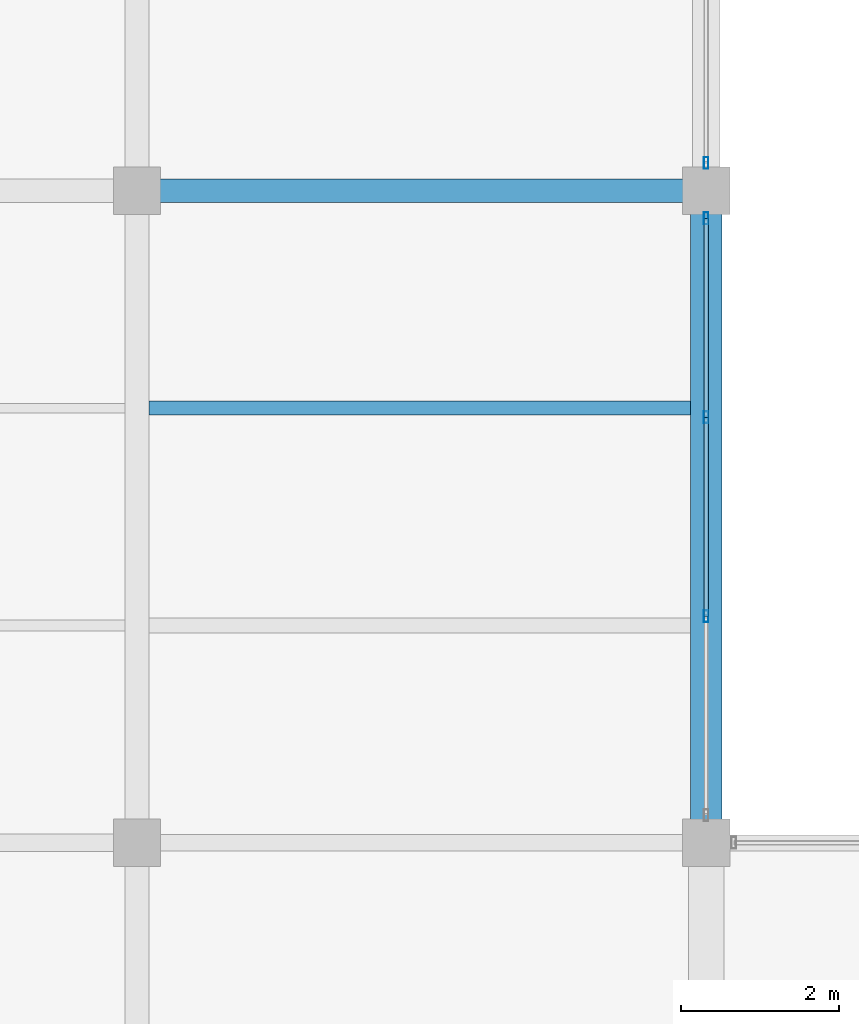
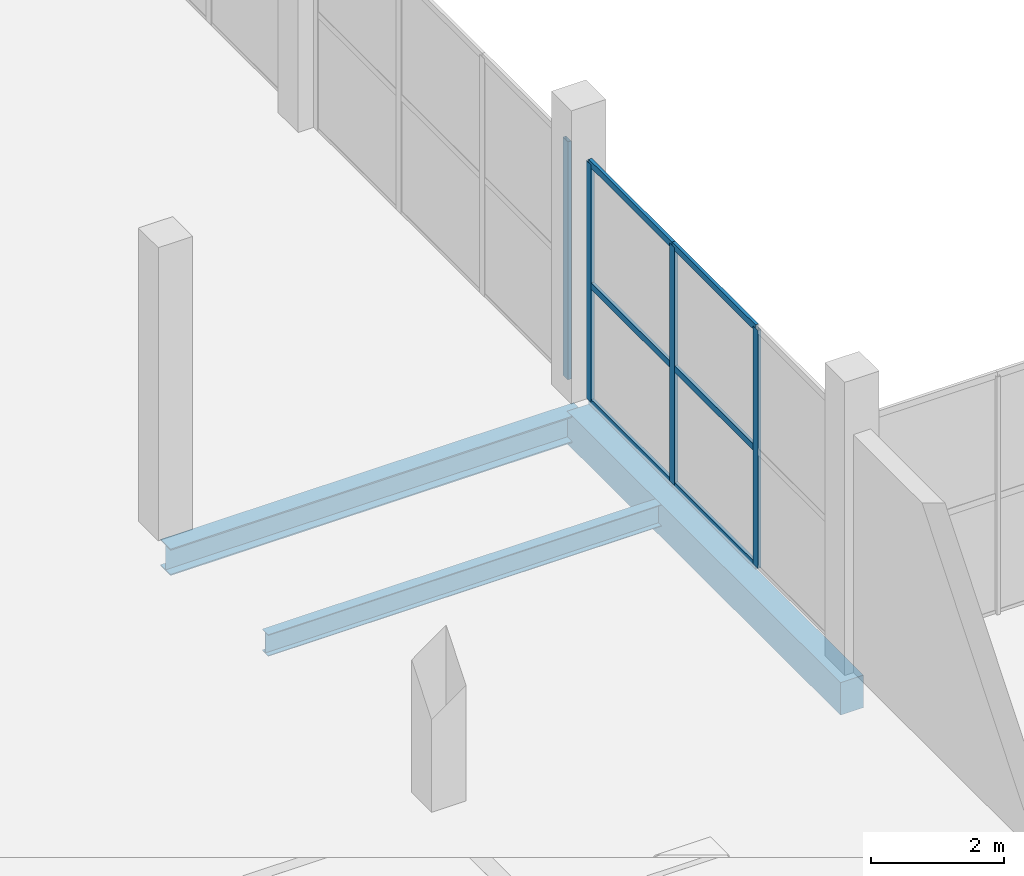
# One storey, part 52 of 141: 10 members, 3 beams, 2 elements without a shape of their own.
"""IFC4 building model written with IfcOpenShell, lengths in metres."""

from ifc_helpers import new_model, si_unit, direction, frame, origin, origin_2d, place, context, subcontext, project, spatial, rectangle, hollow_rectangle, i_section, extrude, material, layer, layer_set, material_profile, profile_set, type_object, element, aggregate, save


model = new_model("IFC4")

# Units and contexts
model_context = context("Model", 3, precision=1e-05, world=origin(), true_north=direction((0.0, 1.0)))
body_context = subcontext(model_context, "Body", "Model", "MODEL_VIEW")
ifc_project = project(units=[si_unit("LENGTHUNIT", "METRE"), si_unit("AREAUNIT", "SQUARE_METRE"), si_unit("VOLUMEUNIT", "CUBIC_METRE"), si_unit("PLANEANGLEUNIT", "RADIAN"), si_unit("MASSUNIT", "GRAM", prefix="KILO")], contexts=[model_context])

# Site, building, storey
site_placement = place(None, origin())
site = spatial("IfcSite", under=ifc_project, at=site_placement, CompositionType="ELEMENT")
building_placement = place(site_placement, origin())
building = spatial("IfcBuilding", under=site, at=building_placement, Name="Sundgate Opera House", CompositionType="ELEMENT")
storey_placement = place(building_placement, frame((0.0, 0.0, 11.39990234375)))
storey = spatial("IfcBuildingStorey", under=building, at=storey_placement, Name="L02", CompositionType="ELEMENT", Elevation=11.39990234375)

# Beams
ifc_material_1 = material(Name="Steel S355J2", Category="steel")
ifc_material_profile_1 = material_profile(ifc_material_1, i_section(OverallWidth=0.300048828125, OverallDepth=0.489990234375, WebThickness=0.011962890625, FlangeThickness=0.02294921875, at=origin_2d()), Name="HEA 500")
ifc_profile_set_1 = profile_set([ifc_material_profile_1], Name="Steel S355J2")
beam_type_1 = type_object("IfcBeamType", Name="BM-GR-HEA500", PredefinedType="BEAM", material=ifc_profile_set_1)
beam_1_placement = place(storey_placement, frame((117.0, 95.25, -0.594970703125), z_axis=(1.0, 0.0, 0.0), x_axis=(0.0, 1.0, 0.0)))
element("IfcBeam", 1, at=beam_1_placement, inside=storey, type_object=beam_type_1, Name="L02 Primary E-W Girder B2078", PredefinedType="BEAM", context=body_context, shape_type="SweptSolid", body=[
    extrude(i_section(OverallWidth=0.300048828125, OverallDepth=0.489990234375, WebThickness=0.011962890625, FlangeThickness=0.02294921875, at=origin_2d()), origin(), (0.0, 0.0, 1.0), 7.199951171875),
])
ifc_material_2 = material(Name="Steel S355J2", Category="steel")
ifc_material_profile_2 = material_profile(ifc_material_2, i_section(OverallWidth=0.179931640625, OverallDepth=0.39990234375, WebThickness=0.008544921875, FlangeThickness=0.013427734375, at=origin_2d()), Name="IPE 400")
ifc_profile_set_2 = profile_set([ifc_material_profile_2], Name="Steel S355J2")
beam_type_2 = type_object("IfcBeamType", Name="BM-JS-IPE400", PredefinedType="JOIST", material=ifc_profile_set_2)
beam_2_placement = place(storey_placement, frame((117.14990234375, 92.5, -0.5498046875), z_axis=(1.0, 0.0, 0.0), x_axis=(0.0, 1.0, 0.0)))
element("IfcBeam", 2, at=beam_2_placement, inside=storey, type_object=beam_type_2, Name="L02 Secondary Floor Joist B2354", PredefinedType="JOIST", context=body_context, shape_type="SweptSolid", body=[
    extrude(i_section(OverallWidth=0.179931640625, OverallDepth=0.39990234375, WebThickness=0.008544921875, FlangeThickness=0.013427734375, at=origin_2d()), origin(), (0.0, 0.0, 1.0), 6.85009765625),
])
ifc_material_3 = material(Name="Concrete C35/45", Category="concrete")
ifc_material_profile_3 = material_profile(ifc_material_3, rectangle(XDim=0.39990234375, YDim=0.60009765625, at=origin_2d()), Name="RC 400x600")
ifc_profile_set_3 = profile_set([ifc_material_profile_3], Name="Concrete C35/45")
beam_type_3 = type_object("IfcBeamType", Name="BM-RC-400x600", PredefinedType="BEAM", material=ifc_profile_set_3)
beam_3_placement = place(storey_placement, frame((124.199951171875, 87.0, -0.64990234375), z_axis=(0.0, 1.0, 0.0), x_axis=(-1.0, 0.0, 0.0)))
element("IfcBeam", 3, at=beam_3_placement, inside=storey, type_object=beam_type_3, Name="L02 Primary N-S Girder B1899", PredefinedType="BEAM", context=body_context, shape_type="SweptSolid", body=[
    extrude(rectangle(XDim=0.39990234375, YDim=0.60009765625, at=origin_2d()), origin(), (0.0, 0.0, 1.0), 8.25),
])

# Curtain wall, members
ifc_material_4 = material(Name="Anodized aluminium and low-iron glass", Category="aluminium")
ifc_layer = layer(ifc_material_4, 0.159912109375)
ifc_layer_set = layer_set([ifc_layer], Name="Anodized aluminium and low-iron glass")
curtain_wall_type = type_object("IfcCurtainWallType", Name="CW-STUDIO-DARK", PredefinedType="NOTDEFINED", material=ifc_layer_set)
curtain_wall_1_placement = place(storey_placement, origin())
curtain_wall_1 = element("IfcCurtainWall", 4, at=curtain_wall_1_placement, inside=storey, type_object=curtain_wall_type, Name="L02 Curtain Wall CW116", PredefinedType="NOTDEFINED")
ifc_material_5 = material(Name="Anodized aluminium EN AW-6063", Category="aluminium")
ifc_material_profile_4 = material_profile(ifc_material_5, hollow_rectangle(XDim=0.06005859375, YDim=0.14990234375, WallThickness=0.00390625, at=origin_2d()), Name="CWM 150x60x4")
ifc_profile_set_4 = profile_set([ifc_material_profile_4], Name="Anodized aluminium EN AW-6063")
member_type_1 = type_object("IfcMemberType", Name="CWM-ALU-150x60", PredefinedType="MULLION", material=ifc_profile_set_4)
member_1_placement = place(storey_placement, frame((124.199951171875, 89.86669921875, 0.0), z_axis=(0.0, 0.0, 1.0), x_axis=(1.0, 0.0, 0.0)))
member_1 = element("IfcMember", 5, at=member_1_placement, type_object=member_type_1, Name="CW116 Mullion 2", PredefinedType="MULLION", context=body_context, shape_type="SweptSolid", body=[
    extrude(hollow_rectangle(XDim=0.06005859375, YDim=0.14990234375, WallThickness=0.00390625, at=origin_2d()), origin(), (0.0, 0.0, 1.0), 4.385009765625),
])
member_2_placement = place(storey_placement, frame((124.199951171875, 92.38330078125, 0.0), z_axis=(0.0, 0.0, 1.0), x_axis=(1.0, 0.0, 0.0)))
member_2 = element("IfcMember", 6, at=member_2_placement, type_object=member_type_1, Name="CW116 Mullion 3", PredefinedType="MULLION", context=body_context, shape_type="SweptSolid", body=[
    extrude(hollow_rectangle(XDim=0.06005859375, YDim=0.14990234375, WallThickness=0.00390625, at=origin_2d()), origin(), (0.0, 0.0, 1.0), 4.385009765625),
])
member_3_placement = place(storey_placement, frame((124.199951171875, 94.89990234375, 0.0), z_axis=(0.0, 0.0, 1.0), x_axis=(1.0, 0.0, 0.0)))
member_3 = element("IfcMember", 7, at=member_3_placement, type_object=member_type_1, Name="CW116 Mullion 4", PredefinedType="MULLION", context=body_context, shape_type="SweptSolid", body=[
    extrude(hollow_rectangle(XDim=0.06005859375, YDim=0.14990234375, WallThickness=0.00390625, at=origin_2d()), origin(), (0.0, 0.0, 1.0), 4.385009765625),
])

# Curtain wall, member
curtain_wall_2_placement = place(storey_placement, origin())
curtain_wall_2 = element("IfcCurtainWall", 8, at=curtain_wall_2_placement, inside=storey, type_object=curtain_wall_type, Name="L02 Curtain Wall CW118", PredefinedType="NOTDEFINED")
member_4_placement = place(storey_placement, frame((124.199951171875, 95.60009765625, 0.0), z_axis=(0.0, 0.0, 1.0), x_axis=(1.0, 0.0, 0.0)))
member_4 = element("IfcMember", 9, at=member_4_placement, type_object=member_type_1, Name="CW118 Mullion 1", PredefinedType="MULLION", context=body_context, shape_type="SweptSolid", body=[
    extrude(hollow_rectangle(XDim=0.06005859375, YDim=0.14990234375, WallThickness=0.00390625, at=origin_2d()), origin(), (0.0, 0.0, 1.0), 4.385009765625),
])
aggregate(curtain_wall_2, [member_4])

# Member
ifc_material_6 = material(Name="Anodized aluminium EN AW-6063", Category="aluminium")
ifc_material_profile_5 = material_profile(ifc_material_6, hollow_rectangle(XDim=0.054931640625, YDim=0.1201171875, WallThickness=0.00390625, at=origin_2d()), Name="CWT 120x55x4")
ifc_profile_set_5 = profile_set([ifc_material_profile_5], Name="Anodized aluminium EN AW-6063")
member_type_2 = type_object("IfcMemberType", Name="CWT-ALU-120x55", PredefinedType="USERDEFINED", material=ifc_profile_set_5)
member_5_placement = place(storey_placement, frame((124.199951171875, 89.86669921875, 0.0), z_axis=(0.0, 1.0, 0.0), x_axis=(-1.0, 0.0, 0.0)))
member_5 = element("IfcMember", 10, at=member_5_placement, type_object=member_type_2, Name="CW116 Transom 4", ObjectType="TRANSOM", PredefinedType="USERDEFINED", context=body_context, shape_type="SweptSolid", body=[
    extrude(hollow_rectangle(XDim=0.054931640625, YDim=0.1201171875, WallThickness=0.00390625, at=origin_2d()), origin(), (0.0, 0.0, 1.0), 2.5166015625),
])

member_6_placement = place(storey_placement, frame((124.199951171875, 89.86669921875, 2.150146484375), z_axis=(0.0, 1.0, 0.0), x_axis=(-1.0, 0.0, 0.0)))
member_6 = element("IfcMember", 11, at=member_6_placement, type_object=member_type_2, Name="CW116 Transom 5", ObjectType="TRANSOM", PredefinedType="USERDEFINED", context=body_context, shape_type="SweptSolid", body=[
    extrude(hollow_rectangle(XDim=0.054931640625, YDim=0.1201171875, WallThickness=0.00390625, at=origin_2d()), origin(), (0.0, 0.0, 1.0), 2.5166015625),
])

member_7_placement = place(storey_placement, frame((124.199951171875, 89.86669921875, 4.385009765625), z_axis=(0.0, 1.0, 0.0), x_axis=(-1.0, 0.0, 0.0)))
member_7 = element("IfcMember", 12, at=member_7_placement, type_object=member_type_2, Name="CW116 Transom 6", ObjectType="TRANSOM", PredefinedType="USERDEFINED", context=body_context, shape_type="SweptSolid", body=[
    extrude(hollow_rectangle(XDim=0.054931640625, YDim=0.1201171875, WallThickness=0.00390625, at=origin_2d()), origin(), (0.0, 0.0, 1.0), 2.5166015625),
])

member_8_placement = place(storey_placement, frame((124.199951171875, 92.38330078125, 0.0), z_axis=(0.0, 1.0, 0.0), x_axis=(-1.0, 0.0, 0.0)))
member_8 = element("IfcMember", 13, at=member_8_placement, type_object=member_type_2, Name="CW116 Transom 7", ObjectType="TRANSOM", PredefinedType="USERDEFINED", context=body_context, shape_type="SweptSolid", body=[
    extrude(hollow_rectangle(XDim=0.054931640625, YDim=0.1201171875, WallThickness=0.00390625, at=origin_2d()), origin(), (0.0, 0.0, 1.0), 2.5166015625),
])

member_9_placement = place(storey_placement, frame((124.199951171875, 92.38330078125, 2.150146484375), z_axis=(0.0, 1.0, 0.0), x_axis=(-1.0, 0.0, 0.0)))
member_9 = element("IfcMember", 14, at=member_9_placement, type_object=member_type_2, Name="CW116 Transom 8", ObjectType="TRANSOM", PredefinedType="USERDEFINED", context=body_context, shape_type="SweptSolid", body=[
    extrude(hollow_rectangle(XDim=0.054931640625, YDim=0.1201171875, WallThickness=0.00390625, at=origin_2d()), origin(), (0.0, 0.0, 1.0), 2.5166015625),
])

member_10_placement = place(storey_placement, frame((124.199951171875, 92.38330078125, 4.385009765625), z_axis=(0.0, 1.0, 0.0), x_axis=(-1.0, 0.0, 0.0)))
member_10 = element("IfcMember", 15, at=member_10_placement, type_object=member_type_2, Name="CW116 Transom 9", ObjectType="TRANSOM", PredefinedType="USERDEFINED", context=body_context, shape_type="SweptSolid", body=[
    extrude(hollow_rectangle(XDim=0.054931640625, YDim=0.1201171875, WallThickness=0.00390625, at=origin_2d()), origin(), (0.0, 0.0, 1.0), 2.5166015625),
])

aggregate(curtain_wall_1, [member_1, member_2, member_3, member_5, member_6, member_7, member_8, member_9, member_10])

save(model, "model.ifc")
